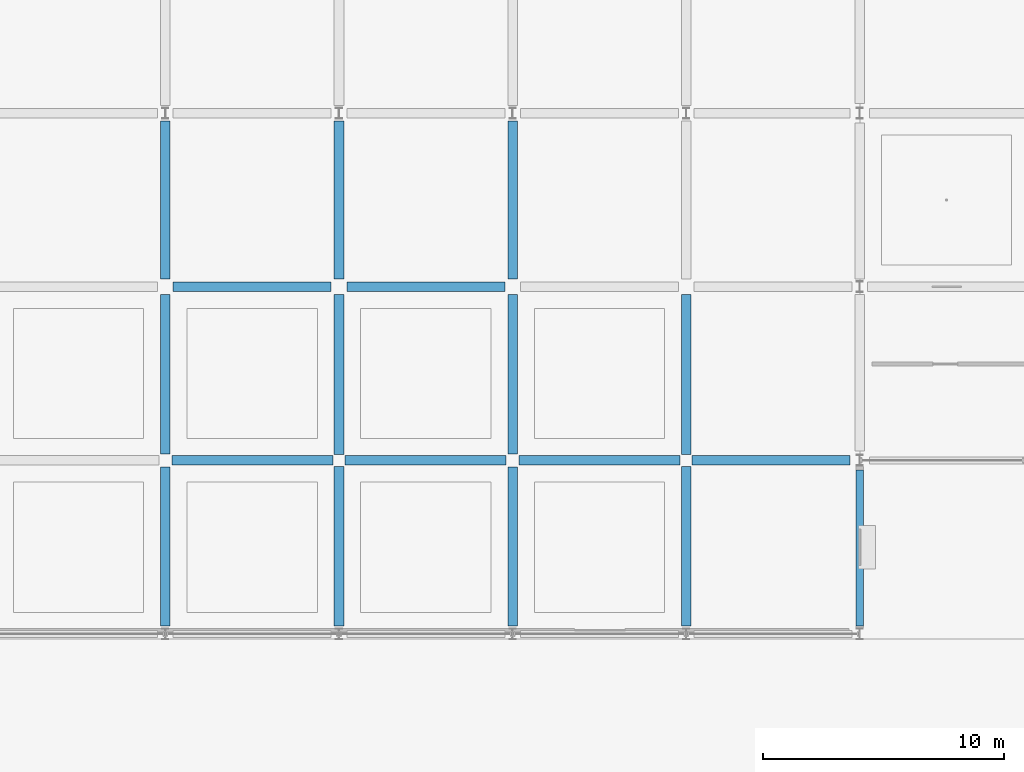
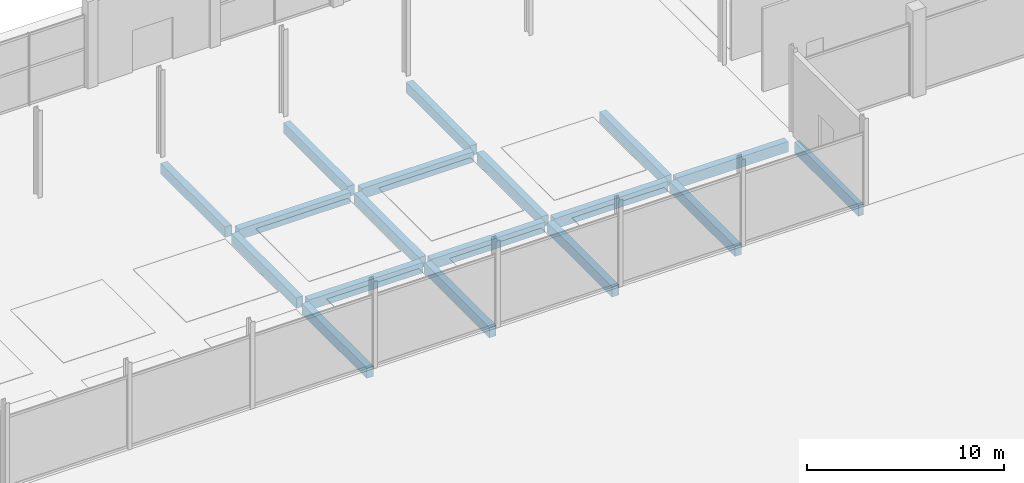
# One storey, part 25 of 90: 18 beams.
"""IFC4 building model written with IfcOpenShell, lengths in metres."""

from ifc_helpers import new_model, si_unit, direction, frame, origin, origin_2d, place, context, subcontext, project, spatial, rectangle, extrude, material, material_profile, profile_set, type_object, element, save


model = new_model("IFC4")

# Units and contexts
model_context = context("Model", 3, precision=1e-05, world=origin(), true_north=direction((0.0, 1.0)))
body_context = subcontext(model_context, "Body", "Model", "MODEL_VIEW")
ifc_project = project(units=[si_unit("LENGTHUNIT", "METRE"), si_unit("AREAUNIT", "SQUARE_METRE"), si_unit("VOLUMEUNIT", "CUBIC_METRE"), si_unit("PLANEANGLEUNIT", "RADIAN"), si_unit("MASSUNIT", "GRAM", prefix="KILO")], contexts=[model_context])

# Site, building, storey
site_placement = place(None, origin())
site = spatial("IfcSite", under=ifc_project, at=site_placement, CompositionType="ELEMENT")
building_placement = place(site_placement, origin())
building = spatial("IfcBuilding", under=site, at=building_placement, Name="Kangsadwip Square Police Headquarters", CompositionType="ELEMENT")
storey_placement = place(building_placement, origin())
storey = spatial("IfcBuildingStorey", under=building, at=storey_placement, Name="L00", CompositionType="ELEMENT", Elevation=0.0)

# Beams
ifc_material_1 = material(Name="Concrete M35 (35 MPa)", Category="concrete")
ifc_material_profile_1 = material_profile(ifc_material_1, rectangle(XDim=0.39990234375, YDim=0.64990234375, at=origin_2d()), Name="RC BM 650X400")
ifc_profile_set_1 = profile_set([ifc_material_profile_1], Name="Concrete M35 (35 MPa)")
beam_type_1 = type_object("IfcBeamType", Name="RcBeam650x400", PredefinedType="BEAM", material=ifc_profile_set_1)
for number, where, z_axis, x_axis, name in (
    (1, (65.074951171875, 93.60009765625, -0.574951171875), (1.0, 0.0, 0.0), (0.0, 1.0, 0.0), "Beam BM-L00-X-09-13"),
    (2, (72.25, 93.60009765625, -0.574951171875), (1.0, 0.0, 0.0), (0.0, 1.0, 0.0), "Beam BM-L00-X-10-13"),
):
    element("IfcBeam", number, at=place(storey_placement, frame(where, z_axis=z_axis, x_axis=x_axis)), inside=storey, type_object=beam_type_1, Name=name, PredefinedType="BEAM", context=body_context, shape_type="SweptSolid", body=[
        extrude(rectangle(XDim=0.39990234375, YDim=0.64990234375, at=origin_2d()), origin(), (0.0, 0.0, 1.0), 6.675048828125),
    ])
beam_1_placement = place(storey_placement, frame((79.47509765625, 93.60009765625, -0.574951171875), z_axis=(1.0, 0.0, 0.0), x_axis=(0.0, 1.0, 0.0)))
element("IfcBeam", 3, at=beam_1_placement, inside=storey, type_object=beam_type_1, Name="Beam BM-L00-X-11-13", PredefinedType="BEAM", context=body_context, shape_type="SweptSolid", body=[
    extrude(rectangle(XDim=0.39990234375, YDim=0.64990234375, at=origin_2d()), origin(), (0.0, 0.0, 1.0), 6.6748046875),
])
for number, where, z_axis, x_axis, name in (
    (4, (86.64990234375, 93.60009765625, -0.574951171875), (1.0, 0.0, 0.0), (0.0, 1.0, 0.0), "Beam BM-L00-X-12-13"),
    (5, (65.125, 100.800048828125, -0.574951171875), (1.0, 0.0, 0.0), (0.0, 1.0, 0.0), "Beam BM-L00-X-09-14"),
    (6, (72.324951171875, 100.800048828125, -0.574951171875), (1.0, 0.0, 0.0), (0.0, 1.0, 0.0), "Beam BM-L00-X-10-14"),
):
    element("IfcBeam", number, at=place(storey_placement, frame(where, z_axis=z_axis, x_axis=x_axis)), inside=storey, type_object=beam_type_1, Name=name, PredefinedType="BEAM", context=body_context, shape_type="SweptSolid", body=[
        extrude(rectangle(XDim=0.39990234375, YDim=0.64990234375, at=origin_2d()), origin(), (0.0, 0.0, 1.0), 6.550048828125),
    ])
beam_2_placement = place(storey_placement, frame((64.800048828125, 86.72509765625, -0.574951171875), z_axis=(0.0, 1.0, 0.0), x_axis=(-1.0, 0.0, 0.0)))
element("IfcBeam", 7, at=beam_2_placement, inside=storey, type_object=beam_type_1, Name="Beam BM-L00-Y-09-12", PredefinedType="BEAM", context=body_context, shape_type="SweptSolid", body=[
    extrude(rectangle(XDim=0.39990234375, YDim=0.64990234375, at=origin_2d()), origin(), (0.0, 0.0, 1.0), 6.599853515625),
])
beam_3_placement = place(storey_placement, frame((64.800048828125, 93.875, -0.574951171875), z_axis=(0.0, 1.0, 0.0), x_axis=(-1.0, 0.0, 0.0)))
element("IfcBeam", 8, at=beam_3_placement, inside=storey, type_object=beam_type_1, Name="Beam BM-L00-Y-09-13", PredefinedType="BEAM", context=body_context, shape_type="SweptSolid", body=[
    extrude(rectangle(XDim=0.39990234375, YDim=0.64990234375, at=origin_2d()), origin(), (0.0, 0.0, 1.0), 6.60009765625),
])
beam_4_placement = place(storey_placement, frame((64.800048828125, 101.125, -0.574951171875), z_axis=(0.0, 1.0, 0.0), x_axis=(-1.0, 0.0, 0.0)))
element("IfcBeam", 9, at=beam_4_placement, inside=storey, type_object=beam_type_1, Name="Beam BM-L00-Y-09-14", PredefinedType="BEAM", context=body_context, shape_type="SweptSolid", body=[
    extrude(rectangle(XDim=0.39990234375, YDim=0.64990234375, at=origin_2d()), origin(), (0.0, 0.0, 1.0), 6.550048828125),
])
for number, where, z_axis, x_axis, name in (
    (10, (72.0, 86.72509765625, -0.574951171875), (0.0, 1.0, 0.0), (-1.0, 0.0, 0.0), "Beam BM-L00-Y-10-12"),
    (11, (72.0, 93.85009765625, -0.574951171875), (0.0, 1.0, 0.0), (-1.0, 0.0, 0.0), "Beam BM-L00-Y-10-13"),
):
    element("IfcBeam", number, at=place(storey_placement, frame(where, z_axis=z_axis, x_axis=x_axis)), inside=storey, type_object=beam_type_1, Name=name, PredefinedType="BEAM", context=body_context, shape_type="SweptSolid", body=[
        extrude(rectangle(XDim=0.39990234375, YDim=0.64990234375, at=origin_2d()), origin(), (0.0, 0.0, 1.0), 6.625),
    ])
beam_5_placement = place(storey_placement, frame((72.0, 101.125, -0.574951171875), z_axis=(0.0, 1.0, 0.0), x_axis=(-1.0, 0.0, 0.0)))
element("IfcBeam", 12, at=beam_5_placement, inside=storey, type_object=beam_type_1, Name="Beam BM-L00-Y-10-14", PredefinedType="BEAM", context=body_context, shape_type="SweptSolid", body=[
    extrude(rectangle(XDim=0.39990234375, YDim=0.64990234375, at=origin_2d()), origin(), (0.0, 0.0, 1.0), 6.550048828125),
])
beam_6_placement = place(storey_placement, frame((79.199951171875, 86.72509765625, -0.574951171875), z_axis=(0.0, 1.0, 0.0), x_axis=(-1.0, 0.0, 0.0)))
element("IfcBeam", 13, at=beam_6_placement, inside=storey, type_object=beam_type_1, Name="Beam BM-L00-Y-11-12", PredefinedType="BEAM", context=body_context, shape_type="SweptSolid", body=[
    extrude(rectangle(XDim=0.39990234375, YDim=0.64990234375, at=origin_2d()), origin(), (0.0, 0.0, 1.0), 6.599853515625),
])
beam_7_placement = place(storey_placement, frame((79.199951171875, 93.875, -0.574951171875), z_axis=(0.0, 1.0, 0.0), x_axis=(-1.0, 0.0, 0.0)))
element("IfcBeam", 14, at=beam_7_placement, inside=storey, type_object=beam_type_1, Name="Beam BM-L00-Y-11-13", PredefinedType="BEAM", context=body_context, shape_type="SweptSolid", body=[
    extrude(rectangle(XDim=0.39990234375, YDim=0.64990234375, at=origin_2d()), origin(), (0.0, 0.0, 1.0), 6.60009765625),
])
beam_8_placement = place(storey_placement, frame((79.199951171875, 101.125, -0.574951171875), z_axis=(0.0, 1.0, 0.0), x_axis=(-1.0, 0.0, 0.0)))
element("IfcBeam", 15, at=beam_8_placement, inside=storey, type_object=beam_type_1, Name="Beam BM-L00-Y-11-14", PredefinedType="BEAM", context=body_context, shape_type="SweptSolid", body=[
    extrude(rectangle(XDim=0.39990234375, YDim=0.64990234375, at=origin_2d()), origin(), (0.0, 0.0, 1.0), 6.550048828125),
])
for number, where, z_axis, x_axis, name in (
    (16, (86.39990234375, 86.72509765625, -0.574951171875), (0.0, 1.0, 0.0), (-1.0, 0.0, 0.0), "Beam BM-L00-Y-12-12"),
    (17, (86.39990234375, 93.85009765625, -0.574951171875), (0.0, 1.0, 0.0), (-1.0, 0.0, 0.0), "Beam BM-L00-Y-12-13"),
):
    element("IfcBeam", number, at=place(storey_placement, frame(where, z_axis=z_axis, x_axis=x_axis)), inside=storey, type_object=beam_type_1, Name=name, PredefinedType="BEAM", context=body_context, shape_type="SweptSolid", body=[
        extrude(rectangle(XDim=0.39990234375, YDim=0.64990234375, at=origin_2d()), origin(), (0.0, 0.0, 1.0), 6.625),
    ])
ifc_material_2 = material(Name="Concrete M40 (40 MPa)", Category="concrete")
ifc_material_profile_2 = material_profile(ifc_material_2, rectangle(XDim=0.300048828125, YDim=0.699951171875, at=origin_2d()), Name="RC SPN 700X300")
ifc_profile_set_2 = profile_set([ifc_material_profile_2], Name="Concrete M40 (40 MPa)")
beam_type_2 = type_object("IfcBeamType", Name="RcSpandrel700x300", PredefinedType="SPANDREL", material=ifc_profile_set_2)
beam_9_placement = place(storey_placement, frame((93.60009765625, 86.72509765625, -0.60009765625), z_axis=(0.0, 1.0, 0.0), x_axis=(-1.0, 0.0, 0.0)))
element("IfcBeam", 18, at=beam_9_placement, inside=storey, type_object=beam_type_2, Name="Beam BM-L00-Y-13-12", PredefinedType="SPANDREL", context=body_context, shape_type="SweptSolid", body=[
    extrude(rectangle(XDim=0.300048828125, YDim=0.699951171875, at=origin_2d()), origin(), (0.0, 0.0, 1.0), 6.474853515625),
])

save(model, "model.ifc")
